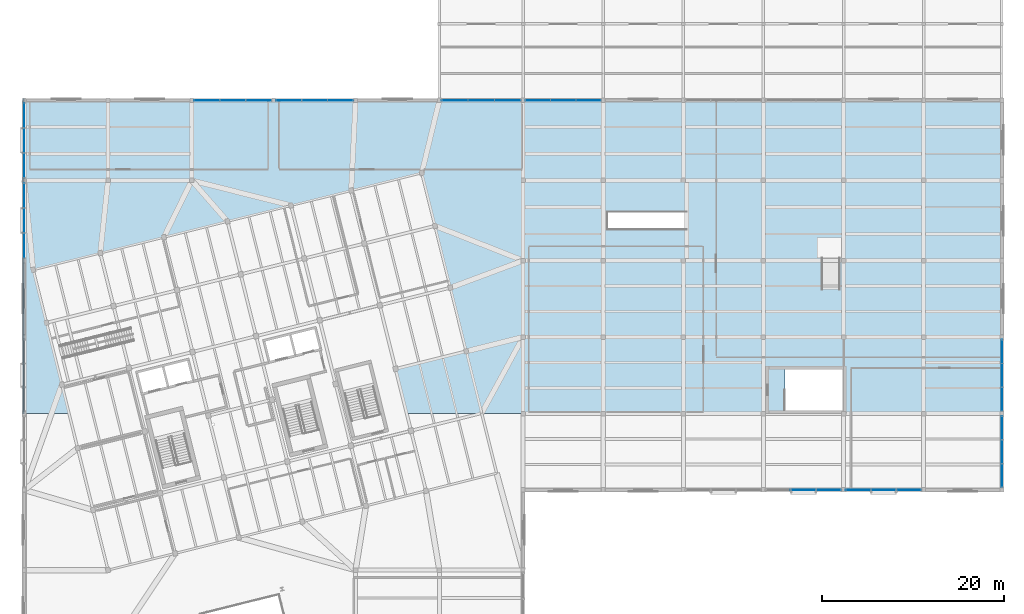
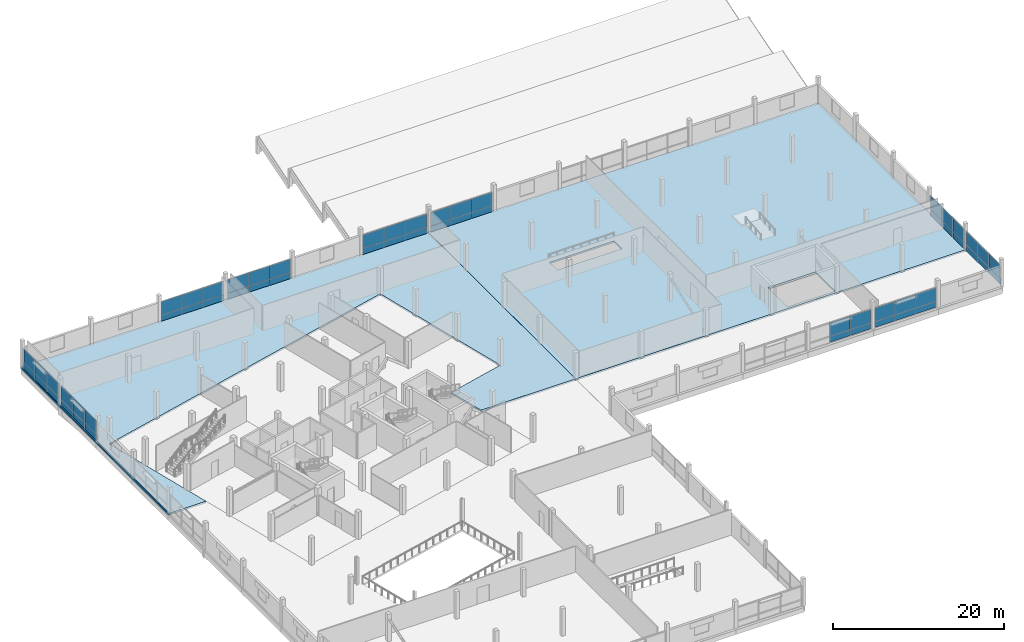
# One storey, part 49 of 62: 58 plates, 3 slabs, 10 elements without a shape of their own.
"""IFC4 building model written with IfcOpenShell, lengths in metres."""

from ifc_helpers import new_model, si_unit, direction, frame, origin, origin_2d, place, context, subcontext, project, spatial, polyline, rectangle, outline, extrude, material, layer, layer_set, type_object, element, aggregate, save


model = new_model("IFC4")

# Units and contexts
model_context = context("Model", 3, precision=1e-05, world=origin(), true_north=direction((0.0, 1.0)))
body_context = subcontext(model_context, "Body", "Model", "MODEL_VIEW")
ifc_project = project(units=[si_unit("LENGTHUNIT", "METRE"), si_unit("AREAUNIT", "SQUARE_METRE"), si_unit("VOLUMEUNIT", "CUBIC_METRE"), si_unit("PLANEANGLEUNIT", "RADIAN"), si_unit("MASSUNIT", "GRAM", prefix="KILO")], contexts=[model_context])

# Site, building, storey
site_placement = place(None, origin())
site = spatial("IfcSite", under=ifc_project, at=site_placement, CompositionType="ELEMENT")
building_placement = place(site_placement, origin())
building = spatial("IfcBuilding", under=site, at=building_placement, Name="Meriwether Solvik Hall", CompositionType="ELEMENT")
storey_placement = place(building_placement, frame((0.0, 0.0, 14.39990234375)))
storey = spatial("IfcBuildingStorey", under=building, at=storey_placement, Name="L03", CompositionType="ELEMENT", Elevation=14.39990234375)

# Curtain wall, plates
ifc_material_1 = material(Name="Thermally Broken Anodised Aluminium 6063-T6 and Low-E Glass", Category="aluminium")
ifc_layer_1 = layer(ifc_material_1, 0.179931640625)
ifc_layer_set_1 = layer_set([ifc_layer_1], Name="Thermally Broken Anodised Aluminium 6063-T6 and Low-E Glass")
curtain_wall_type = type_object("IfcCurtainWallType", Name="CW-UNIT-E", PredefinedType="USERDEFINED", material=ifc_layer_set_1)
curtain_wall_1_placement = place(storey_placement, origin())
curtain_wall_1 = element("IfcCurtainWall", 1, at=curtain_wall_1_placement, inside=storey, type_object=curtain_wall_type, Name="Curtain Wall wing_XF_16_9 (L03)", ObjectType="UNITISED CURTAIN WALL", PredefinedType="USERDEFINED")
ifc_material_2 = material(Name="Low-Emissivity Double-Glazed Laminated Glass", Category="glass")
ifc_layer_2 = layer(ifc_material_2, 0.031982421875)
ifc_layer_set_2 = layer_set([ifc_layer_2], Name="Low-Emissivity Double-Glazed Laminated Glass")
plate_type_1 = type_object("IfcPlateType", Name="PLT-GLZ-225X195", PredefinedType="CURTAIN_PANEL", material=ifc_layer_set_2)
plate_1_placement = place(storey_placement, frame((147.766357421875, 50.0, 0.856689453125), z_axis=(0.0, 0.0, 1.0), x_axis=(-1.0, 0.0, 0.0)))
plate_1 = element("IfcPlate", 2, at=plate_1_placement, type_object=plate_type_1, Name="Low-E Vision Glazing Panel 1", PredefinedType="CURTAIN_PANEL", context=body_context, shape_type="SweptSolid", body=[
    extrude(rectangle(XDim=2.7392578125, YDim=0.033935546875, at=origin_2d()), origin(), (0.0, 0.0, 1.0), 1.9384765625),
])
plate_2_placement = place(storey_placement, frame((145.0, 50.0, 0.856689453125), z_axis=(0.0, 0.0, 1.0), x_axis=(-1.0, 0.0, 0.0)))
plate_2 = element("IfcPlate", 3, at=plate_2_placement, type_object=plate_type_1, Name="Low-E Vision Glazing Panel 2", PredefinedType="CURTAIN_PANEL", context=body_context, shape_type="SweptSolid", body=[
    extrude(rectangle(XDim=2.77734375, YDim=0.033935546875, at=origin_2d()), origin(), (0.0, 0.0, 1.0), 1.9384765625),
])

curtain_wall_2_placement = place(storey_placement, origin())
curtain_wall_2 = element("IfcCurtainWall", 4, at=curtain_wall_2_placement, inside=storey, type_object=curtain_wall_type, Name="Curtain Wall wing_XF_17_10 (L03)", ObjectType="UNITISED CURTAIN WALL", PredefinedType="USERDEFINED")
plate_3_placement = place(storey_placement, frame((156.56640625, 50.0, 0.856689453125), z_axis=(0.0, 0.0, 1.0), x_axis=(-1.0, 0.0, 0.0)))
plate_3 = element("IfcPlate", 5, at=plate_3_placement, type_object=plate_type_1, Name="Low-E Vision Glazing Panel 1", PredefinedType="CURTAIN_PANEL", context=body_context, shape_type="SweptSolid", body=[
    extrude(rectangle(XDim=2.7392578125, YDim=0.033935546875, at=origin_2d()), origin(), (0.0, 0.0, 1.0), 1.9384765625),
])
plate_4_placement = place(storey_placement, frame((153.800048828125, 50.0, 0.856689453125), z_axis=(0.0, 0.0, 1.0), x_axis=(-1.0, 0.0, 0.0)))
plate_4 = element("IfcPlate", 6, at=plate_4_placement, type_object=plate_type_1, Name="Low-E Vision Glazing Panel 2", PredefinedType="CURTAIN_PANEL", context=body_context, shape_type="SweptSolid", body=[
    extrude(rectangle(XDim=2.77734375, YDim=0.033935546875, at=origin_2d()), origin(), (0.0, 0.0, 1.0), 1.9384765625),
])
plate_5_placement = place(storey_placement, frame((151.03369140625, 50.0, 0.856689453125), z_axis=(0.0, 0.0, 1.0), x_axis=(-1.0, 0.0, 0.0)))
plate_5 = element("IfcPlate", 7, at=plate_5_placement, type_object=plate_type_1, Name="Low-E Vision Glazing Panel 3", PredefinedType="CURTAIN_PANEL", context=body_context, shape_type="SweptSolid", body=[
    extrude(rectangle(XDim=2.7392578125, YDim=0.033935546875, at=origin_2d()), origin(), (0.0, 0.0, 1.0), 1.9384765625),
])

curtain_wall_3_placement = place(storey_placement, origin())
curtain_wall_3 = element("IfcCurtainWall", 8, at=curtain_wall_3_placement, inside=storey, type_object=curtain_wall_type, Name="Curtain Wall wing_XK_9_14 (L03)", ObjectType="UNITISED CURTAIN WALL", PredefinedType="USERDEFINED")
plate_6_placement = place(storey_placement, frame((79.467041015625, 92.800048828125, 0.856689453125), z_axis=(0.0, 0.0, 1.0), x_axis=(1.0, 0.0, 0.0)))
plate_6 = element("IfcPlate", 9, at=plate_6_placement, type_object=plate_type_1, Name="Low-E Vision Glazing Panel 1", PredefinedType="CURTAIN_PANEL", context=body_context, shape_type="SweptSolid", body=[
    extrude(rectangle(XDim=2.805908203125, YDim=0.033935546875, at=origin_2d()), origin(), (0.0, 0.0, 1.0), 1.9384765625),
])
plate_7_placement = place(storey_placement, frame((82.300048828125, 92.800048828125, 0.856689453125), z_axis=(0.0, 0.0, 1.0), x_axis=(1.0, 0.0, 0.0)))
plate_7 = element("IfcPlate", 10, at=plate_7_placement, type_object=plate_type_1, Name="Low-E Vision Glazing Panel 2", PredefinedType="CURTAIN_PANEL", context=body_context, shape_type="SweptSolid", body=[
    extrude(rectangle(XDim=2.843994140625, YDim=0.033935546875, at=origin_2d()), origin(), (0.0, 0.0, 1.0), 1.9384765625),
])
plate_8_placement = place(storey_placement, frame((85.133056640625, 92.800048828125, 0.856689453125), z_axis=(0.0, 0.0, 1.0), x_axis=(1.0, 0.0, 0.0)))
plate_8 = element("IfcPlate", 11, at=plate_8_placement, type_object=plate_type_1, Name="Low-E Vision Glazing Panel 3", PredefinedType="CURTAIN_PANEL", context=body_context, shape_type="SweptSolid", body=[
    extrude(rectangle(XDim=2.805908203125, YDim=0.033935546875, at=origin_2d()), origin(), (0.0, 0.0, 1.0), 1.9384765625),
])

curtain_wall_4_placement = place(storey_placement, origin())
curtain_wall_4 = element("IfcCurtainWall", 12, at=curtain_wall_4_placement, inside=storey, type_object=curtain_wall_type, Name="Curtain Wall wing_XK_10_15 (L03)", ObjectType="UNITISED CURTAIN WALL", PredefinedType="USERDEFINED")
plate_9_placement = place(storey_placement, frame((88.467041015625, 92.800048828125, 0.856689453125), z_axis=(0.0, 0.0, 1.0), x_axis=(1.0, 0.0, 0.0)))
plate_9 = element("IfcPlate", 13, at=plate_9_placement, type_object=plate_type_1, Name="Low-E Vision Glazing Panel 1", PredefinedType="CURTAIN_PANEL", context=body_context, shape_type="SweptSolid", body=[
    extrude(rectangle(XDim=2.805908203125, YDim=0.033935546875, at=origin_2d()), origin(), (0.0, 0.0, 1.0), 1.9384765625),
])
plate_10_placement = place(storey_placement, frame((91.300048828125, 92.800048828125, 0.856689453125), z_axis=(0.0, 0.0, 1.0), x_axis=(1.0, 0.0, 0.0)))
plate_10 = element("IfcPlate", 14, at=plate_10_placement, type_object=plate_type_1, Name="Low-E Vision Glazing Panel 2", PredefinedType="CURTAIN_PANEL", context=body_context, shape_type="SweptSolid", body=[
    extrude(rectangle(XDim=2.843994140625, YDim=0.033935546875, at=origin_2d()), origin(), (0.0, 0.0, 1.0), 1.9384765625),
])
plate_11_placement = place(storey_placement, frame((94.133056640625, 92.800048828125, 0.856689453125), z_axis=(0.0, 0.0, 1.0), x_axis=(1.0, 0.0, 0.0)))
plate_11 = element("IfcPlate", 15, at=plate_11_placement, type_object=plate_type_1, Name="Low-E Vision Glazing Panel 3", PredefinedType="CURTAIN_PANEL", context=body_context, shape_type="SweptSolid", body=[
    extrude(rectangle(XDim=2.805908203125, YDim=0.033935546875, at=origin_2d()), origin(), (0.0, 0.0, 1.0), 1.9384765625),
])

curtain_wall_5_placement = place(storey_placement, origin())
curtain_wall_5 = element("IfcCurtainWall", 16, at=curtain_wall_5_placement, inside=storey, type_object=curtain_wall_type, Name="Curtain Wall wing_XK_12_17 (L03)", ObjectType="UNITISED CURTAIN WALL", PredefinedType="USERDEFINED")
plate_12_placement = place(storey_placement, frame((106.700439453125, 92.800048828125, 0.856689453125), z_axis=(0.0, 0.0, 1.0), x_axis=(1.0, 0.0, 0.0)))
plate_12 = element("IfcPlate", 17, at=plate_12_placement, type_object=plate_type_1, Name="Low-E Vision Glazing Panel 1", PredefinedType="CURTAIN_PANEL", context=body_context, shape_type="SweptSolid", body=[
    extrude(rectangle(XDim=2.872802734375, YDim=0.033935546875, at=origin_2d()), origin(), (0.0, 0.0, 1.0), 1.9384765625),
])
plate_13_placement = place(storey_placement, frame((109.60009765625, 92.800048828125, 0.856689453125), z_axis=(0.0, 0.0, 1.0), x_axis=(1.0, 0.0, 0.0)))
plate_13 = element("IfcPlate", 18, at=plate_13_placement, type_object=plate_type_1, Name="Low-E Vision Glazing Panel 2", PredefinedType="CURTAIN_PANEL", context=body_context, shape_type="SweptSolid", body=[
    extrude(rectangle(XDim=2.91064453125, YDim=0.033935546875, at=origin_2d()), origin(), (0.0, 0.0, 1.0), 1.9384765625),
])
plate_14_placement = place(storey_placement, frame((112.499755859375, 92.800048828125, 0.856689453125), z_axis=(0.0, 0.0, 1.0), x_axis=(1.0, 0.0, 0.0)))
plate_14 = element("IfcPlate", 19, at=plate_14_placement, type_object=plate_type_1, Name="Low-E Vision Glazing Panel 3", PredefinedType="CURTAIN_PANEL", context=body_context, shape_type="SweptSolid", body=[
    extrude(rectangle(XDim=2.872802734375, YDim=0.033935546875, at=origin_2d()), origin(), (0.0, 0.0, 1.0), 1.9384765625),
])

curtain_wall_6_placement = place(storey_placement, origin())
curtain_wall_6 = element("IfcCurtainWall", 20, at=curtain_wall_6_placement, inside=storey, type_object=curtain_wall_type, Name="Curtain Wall wing_XK_13_18 (L03)", ObjectType="UNITISED CURTAIN WALL", PredefinedType="USERDEFINED")
plate_15_placement = place(storey_placement, frame((115.833740234375, 92.800048828125, 0.856689453125), z_axis=(0.0, 0.0, 1.0), x_axis=(1.0, 0.0, 0.0)))
plate_15 = element("IfcPlate", 21, at=plate_15_placement, type_object=plate_type_1, Name="Low-E Vision Glazing Panel 1", PredefinedType="CURTAIN_PANEL", context=body_context, shape_type="SweptSolid", body=[
    extrude(rectangle(XDim=2.7392578125, YDim=0.033935546875, at=origin_2d()), origin(), (0.0, 0.0, 1.0), 1.9384765625),
])
plate_16_placement = place(storey_placement, frame((118.60009765625, 92.800048828125, 0.856689453125), z_axis=(0.0, 0.0, 1.0), x_axis=(1.0, 0.0, 0.0)))
plate_16 = element("IfcPlate", 22, at=plate_16_placement, type_object=plate_type_1, Name="Low-E Vision Glazing Panel 2", PredefinedType="CURTAIN_PANEL", context=body_context, shape_type="SweptSolid", body=[
    extrude(rectangle(XDim=2.77734375, YDim=0.033935546875, at=origin_2d()), origin(), (0.0, 0.0, 1.0), 1.9384765625),
])
plate_17_placement = place(storey_placement, frame((121.3662109375, 92.800048828125, 0.856689453125), z_axis=(0.0, 0.0, 1.0), x_axis=(1.0, 0.0, 0.0)))
plate_17 = element("IfcPlate", 23, at=plate_17_placement, type_object=plate_type_1, Name="Low-E Vision Glazing Panel 3", PredefinedType="CURTAIN_PANEL", context=body_context, shape_type="SweptSolid", body=[
    extrude(rectangle(XDim=2.7392578125, YDim=0.033935546875, at=origin_2d()), origin(), (0.0, 0.0, 1.0), 1.9384765625),
])

curtain_wall_7_placement = place(storey_placement, origin())
curtain_wall_7 = element("IfcCurtainWall", 24, at=curtain_wall_7_placement, inside=storey, type_object=curtain_wall_type, Name="Curtain Wall wing_Y7_9_32 (L03)", ObjectType="UNITISED CURTAIN WALL", PredefinedType="USERDEFINED")
plate_18_placement = place(storey_placement, frame((59.39990234375, 76.858642578125, 0.856689453125), z_axis=(0.0, 0.0, 1.0), x_axis=(0.0, 1.0, 0.0)))
plate_18 = element("IfcPlate", 25, at=plate_18_placement, type_object=plate_type_1, Name="Low-E Vision Glazing Panel 1", PredefinedType="CURTAIN_PANEL", context=body_context, shape_type="SweptSolid", body=[
    extrude(rectangle(XDim=2.71435546875, YDim=0.033935546875, at=origin_2d()), origin(), (0.0, 0.0, 1.0), 1.9384765625),
])
plate_19_placement = place(storey_placement, frame((59.39990234375, 79.60009765625, 0.856689453125), z_axis=(0.0, 0.0, 1.0), x_axis=(0.0, 1.0, 0.0)))
plate_19 = element("IfcPlate", 26, at=plate_19_placement, type_object=plate_type_1, Name="Low-E Vision Glazing Panel 2", PredefinedType="CURTAIN_PANEL", context=body_context, shape_type="SweptSolid", body=[
    extrude(rectangle(XDim=2.752197265625, YDim=0.033935546875, at=origin_2d()), origin(), (0.0, 0.0, 1.0), 1.9384765625),
])
plate_20_placement = place(storey_placement, frame((59.39990234375, 82.34130859375, 0.856689453125), z_axis=(0.0, 0.0, 1.0), x_axis=(0.0, 1.0, 0.0)))
plate_20 = element("IfcPlate", 27, at=plate_20_placement, type_object=plate_type_1, Name="Low-E Vision Glazing Panel 3", PredefinedType="CURTAIN_PANEL", context=body_context, shape_type="SweptSolid", body=[
    extrude(rectangle(XDim=2.71435546875, YDim=0.033935546875, at=origin_2d()), origin(), (0.0, 0.0, 1.0), 1.9384765625),
])

curtain_wall_8_placement = place(storey_placement, origin())
curtain_wall_8 = element("IfcCurtainWall", 28, at=curtain_wall_8_placement, inside=storey, type_object=curtain_wall_type, Name="Curtain Wall wing_Y7_10_33 (L03)", ObjectType="UNITISED CURTAIN WALL", PredefinedType="USERDEFINED")
plate_21_placement = place(storey_placement, frame((59.39990234375, 85.65869140625, 0.856689453125), z_axis=(0.0, 0.0, 1.0), x_axis=(0.0, 1.0, 0.0)))
plate_21 = element("IfcPlate", 29, at=plate_21_placement, type_object=plate_type_1, Name="Low-E Vision Glazing Panel 1", PredefinedType="CURTAIN_PANEL", context=body_context, shape_type="SweptSolid", body=[
    extrude(rectangle(XDim=2.71435546875, YDim=0.033935546875, at=origin_2d()), origin(), (0.0, 0.0, 1.0), 1.9384765625),
])
plate_22_placement = place(storey_placement, frame((59.39990234375, 88.39990234375, 0.856689453125), z_axis=(0.0, 0.0, 1.0), x_axis=(0.0, 1.0, 0.0)))
plate_22 = element("IfcPlate", 30, at=plate_22_placement, type_object=plate_type_1, Name="Low-E Vision Glazing Panel 2", PredefinedType="CURTAIN_PANEL", context=body_context, shape_type="SweptSolid", body=[
    extrude(rectangle(XDim=2.752197265625, YDim=0.033935546875, at=origin_2d()), origin(), (0.0, 0.0, 1.0), 1.9384765625),
])
plate_23_placement = place(storey_placement, frame((59.39990234375, 91.141357421875, 0.856689453125), z_axis=(0.0, 0.0, 1.0), x_axis=(0.0, 1.0, 0.0)))
plate_23 = element("IfcPlate", 31, at=plate_23_placement, type_object=plate_type_1, Name="Low-E Vision Glazing Panel 3", PredefinedType="CURTAIN_PANEL", context=body_context, shape_type="SweptSolid", body=[
    extrude(rectangle(XDim=2.71435546875, YDim=0.033935546875, at=origin_2d()), origin(), (0.0, 0.0, 1.0), 1.9384765625),
])

curtain_wall_9_placement = place(storey_placement, origin())
curtain_wall_9 = element("IfcCurtainWall", 32, at=curtain_wall_9_placement, inside=storey, type_object=curtain_wall_type, Name="Curtain Wall wing_Y19_6_39 (L03)", ObjectType="UNITISED CURTAIN WALL", PredefinedType="USERDEFINED")
plate_24_placement = place(storey_placement, frame((166.800048828125, 56.80810546875, 0.856689453125), z_axis=(0.0, 0.0, 1.0), x_axis=(0.0, -1.0, 0.0)))
plate_24 = element("IfcPlate", 33, at=plate_24_placement, type_object=plate_type_1, Name="Low-E Vision Glazing Panel 1", PredefinedType="CURTAIN_PANEL", context=body_context, shape_type="SweptSolid", body=[
    extrude(rectangle(XDim=2.5810546875, YDim=0.033935546875, at=origin_2d()), origin(), (0.0, 0.0, 1.0), 1.9384765625),
])
plate_25_placement = place(storey_placement, frame((166.800048828125, 54.199951171875, 0.856689453125), z_axis=(0.0, 0.0, 1.0), x_axis=(0.0, -1.0, 0.0)))
plate_25 = element("IfcPlate", 34, at=plate_25_placement, type_object=plate_type_1, Name="Low-E Vision Glazing Panel 2", PredefinedType="CURTAIN_PANEL", context=body_context, shape_type="SweptSolid", body=[
    extrude(rectangle(XDim=2.618896484375, YDim=0.033935546875, at=origin_2d()), origin(), (0.0, 0.0, 1.0), 1.9384765625),
])
plate_26_placement = place(storey_placement, frame((166.800048828125, 51.592041015625, 0.856689453125), z_axis=(0.0, 0.0, 1.0), x_axis=(0.0, -1.0, 0.0)))
plate_26 = element("IfcPlate", 35, at=plate_26_placement, type_object=plate_type_1, Name="Low-E Vision Glazing Panel 3", PredefinedType="CURTAIN_PANEL", context=body_context, shape_type="SweptSolid", body=[
    extrude(rectangle(XDim=2.5810546875, YDim=0.033935546875, at=origin_2d()), origin(), (0.0, 0.0, 1.0), 1.9384765625),
])

curtain_wall_10_placement = place(storey_placement, origin())
curtain_wall_10 = element("IfcCurtainWall", 36, at=curtain_wall_10_placement, inside=storey, type_object=curtain_wall_type, Name="Curtain Wall wing_Y19_7_40 (L03)", ObjectType="UNITISED CURTAIN WALL", PredefinedType="USERDEFINED")
plate_27_placement = place(storey_placement, frame((166.800048828125, 65.2080078125, 0.856689453125), z_axis=(0.0, 0.0, 1.0), x_axis=(0.0, -1.0, 0.0)))
plate_27 = element("IfcPlate", 37, at=plate_27_placement, type_object=plate_type_1, Name="Low-E Vision Glazing Panel 1", PredefinedType="CURTAIN_PANEL", context=body_context, shape_type="SweptSolid", body=[
    extrude(rectangle(XDim=2.5810546875, YDim=0.033935546875, at=origin_2d()), origin(), (0.0, 0.0, 1.0), 1.9384765625),
])
plate_28_placement = place(storey_placement, frame((166.800048828125, 62.60009765625, 0.856689453125), z_axis=(0.0, 0.0, 1.0), x_axis=(0.0, -1.0, 0.0)))
plate_28 = element("IfcPlate", 38, at=plate_28_placement, type_object=plate_type_1, Name="Low-E Vision Glazing Panel 2", PredefinedType="CURTAIN_PANEL", context=body_context, shape_type="SweptSolid", body=[
    extrude(rectangle(XDim=2.618896484375, YDim=0.033935546875, at=origin_2d()), origin(), (0.0, 0.0, 1.0), 1.9384765625),
])
plate_29_placement = place(storey_placement, frame((166.800048828125, 59.991943359375, 0.856689453125), z_axis=(0.0, 0.0, 1.0), x_axis=(0.0, -1.0, 0.0)))
plate_29 = element("IfcPlate", 39, at=plate_29_placement, type_object=plate_type_1, Name="Low-E Vision Glazing Panel 3", PredefinedType="CURTAIN_PANEL", context=body_context, shape_type="SweptSolid", body=[
    extrude(rectangle(XDim=2.5810546875, YDim=0.033935546875, at=origin_2d()), origin(), (0.0, 0.0, 1.0), 1.9384765625),
])

# Plate
ifc_material_3 = material(Name="Mineral-Wool Insulated Anodised Aluminium 6063-T6", Category="aluminium")
ifc_layer_3 = layer(ifc_material_3, 0.044921875)
ifc_layer_set_3 = layer_set([ifc_layer_3], Name="Mineral-Wool Insulated Anodised Aluminium 6063-T6")
plate_type_2 = type_object("IfcPlateType", Name="PLT-SPN-225X085", PredefinedType="CURTAIN_PANEL", material=ifc_layer_set_3)
plate_30_placement = place(storey_placement, frame((147.766357421875, 50.0, 0.000244140625), z_axis=(0.0, 0.0, 1.0), x_axis=(-1.0, 0.0, 0.0)))
plate_30 = element("IfcPlate", 40, at=plate_30_placement, type_object=plate_type_2, Name="Insulated Spandrel Panel 1", PredefinedType="CURTAIN_PANEL", context=body_context, shape_type="SweptSolid", body=[
    extrude(rectangle(XDim=2.7392578125, YDim=0.044921875, at=origin_2d()), origin(), (0.0, 0.0, 1.0), 0.8564453125),
])

plate_31_placement = place(storey_placement, frame((145.0, 50.0, 0.000244140625), z_axis=(0.0, 0.0, 1.0), x_axis=(-1.0, 0.0, 0.0)))
plate_31 = element("IfcPlate", 41, at=plate_31_placement, type_object=plate_type_2, Name="Insulated Spandrel Panel 2", PredefinedType="CURTAIN_PANEL", context=body_context, shape_type="SweptSolid", body=[
    extrude(rectangle(XDim=2.77734375, YDim=0.044921875, at=origin_2d()), origin(), (0.0, 0.0, 1.0), 0.8564453125),
])

aggregate(curtain_wall_1, [plate_30, plate_1, plate_31, plate_2])

plate_32_placement = place(storey_placement, frame((156.56640625, 50.0, 0.000244140625), z_axis=(0.0, 0.0, 1.0), x_axis=(-1.0, 0.0, 0.0)))
plate_32 = element("IfcPlate", 42, at=plate_32_placement, type_object=plate_type_2, Name="Insulated Spandrel Panel 1", PredefinedType="CURTAIN_PANEL", context=body_context, shape_type="SweptSolid", body=[
    extrude(rectangle(XDim=2.7392578125, YDim=0.044921875, at=origin_2d()), origin(), (0.0, 0.0, 1.0), 0.8564453125),
])

plate_33_placement = place(storey_placement, frame((153.800048828125, 50.0, 0.000244140625), z_axis=(0.0, 0.0, 1.0), x_axis=(-1.0, 0.0, 0.0)))
plate_33 = element("IfcPlate", 43, at=plate_33_placement, type_object=plate_type_2, Name="Insulated Spandrel Panel 2", PredefinedType="CURTAIN_PANEL", context=body_context, shape_type="SweptSolid", body=[
    extrude(rectangle(XDim=2.77734375, YDim=0.044921875, at=origin_2d()), origin(), (0.0, 0.0, 1.0), 0.8564453125),
])

plate_34_placement = place(storey_placement, frame((151.03369140625, 50.0, 0.000244140625), z_axis=(0.0, 0.0, 1.0), x_axis=(-1.0, 0.0, 0.0)))
plate_34 = element("IfcPlate", 44, at=plate_34_placement, type_object=plate_type_2, Name="Insulated Spandrel Panel 3", PredefinedType="CURTAIN_PANEL", context=body_context, shape_type="SweptSolid", body=[
    extrude(rectangle(XDim=2.7392578125, YDim=0.044921875, at=origin_2d()), origin(), (0.0, 0.0, 1.0), 0.8564453125),
])

aggregate(curtain_wall_2, [plate_32, plate_3, plate_33, plate_4, plate_34, plate_5])

plate_35_placement = place(storey_placement, frame((79.467041015625, 92.800048828125, 0.000244140625), z_axis=(0.0, 0.0, 1.0), x_axis=(1.0, 0.0, 0.0)))
plate_35 = element("IfcPlate", 45, at=plate_35_placement, type_object=plate_type_2, Name="Insulated Spandrel Panel 1", PredefinedType="CURTAIN_PANEL", context=body_context, shape_type="SweptSolid", body=[
    extrude(rectangle(XDim=2.805908203125, YDim=0.044921875, at=origin_2d()), origin(), (0.0, 0.0, 1.0), 0.8564453125),
])

plate_36_placement = place(storey_placement, frame((82.300048828125, 92.800048828125, 0.000244140625), z_axis=(0.0, 0.0, 1.0), x_axis=(1.0, 0.0, 0.0)))
plate_36 = element("IfcPlate", 46, at=plate_36_placement, type_object=plate_type_2, Name="Insulated Spandrel Panel 2", PredefinedType="CURTAIN_PANEL", context=body_context, shape_type="SweptSolid", body=[
    extrude(rectangle(XDim=2.843994140625, YDim=0.044921875, at=origin_2d()), origin(), (0.0, 0.0, 1.0), 0.8564453125),
])

plate_37_placement = place(storey_placement, frame((85.133056640625, 92.800048828125, 0.000244140625), z_axis=(0.0, 0.0, 1.0), x_axis=(1.0, 0.0, 0.0)))
plate_37 = element("IfcPlate", 47, at=plate_37_placement, type_object=plate_type_2, Name="Insulated Spandrel Panel 3", PredefinedType="CURTAIN_PANEL", context=body_context, shape_type="SweptSolid", body=[
    extrude(rectangle(XDim=2.805908203125, YDim=0.044921875, at=origin_2d()), origin(), (0.0, 0.0, 1.0), 0.8564453125),
])

aggregate(curtain_wall_3, [plate_35, plate_6, plate_36, plate_7, plate_37, plate_8])

plate_38_placement = place(storey_placement, frame((88.467041015625, 92.800048828125, 0.000244140625), z_axis=(0.0, 0.0, 1.0), x_axis=(1.0, 0.0, 0.0)))
plate_38 = element("IfcPlate", 48, at=plate_38_placement, type_object=plate_type_2, Name="Insulated Spandrel Panel 1", PredefinedType="CURTAIN_PANEL", context=body_context, shape_type="SweptSolid", body=[
    extrude(rectangle(XDim=2.805908203125, YDim=0.044921875, at=origin_2d()), origin(), (0.0, 0.0, 1.0), 0.8564453125),
])

plate_39_placement = place(storey_placement, frame((91.300048828125, 92.800048828125, 0.000244140625), z_axis=(0.0, 0.0, 1.0), x_axis=(1.0, 0.0, 0.0)))
plate_39 = element("IfcPlate", 49, at=plate_39_placement, type_object=plate_type_2, Name="Insulated Spandrel Panel 2", PredefinedType="CURTAIN_PANEL", context=body_context, shape_type="SweptSolid", body=[
    extrude(rectangle(XDim=2.843994140625, YDim=0.044921875, at=origin_2d()), origin(), (0.0, 0.0, 1.0), 0.8564453125),
])

plate_40_placement = place(storey_placement, frame((94.133056640625, 92.800048828125, 0.000244140625), z_axis=(0.0, 0.0, 1.0), x_axis=(1.0, 0.0, 0.0)))
plate_40 = element("IfcPlate", 50, at=plate_40_placement, type_object=plate_type_2, Name="Insulated Spandrel Panel 3", PredefinedType="CURTAIN_PANEL", context=body_context, shape_type="SweptSolid", body=[
    extrude(rectangle(XDim=2.805908203125, YDim=0.044921875, at=origin_2d()), origin(), (0.0, 0.0, 1.0), 0.8564453125),
])

aggregate(curtain_wall_4, [plate_38, plate_9, plate_39, plate_10, plate_40, plate_11])

plate_41_placement = place(storey_placement, frame((106.700439453125, 92.800048828125, 0.000244140625), z_axis=(0.0, 0.0, 1.0), x_axis=(1.0, 0.0, 0.0)))
plate_41 = element("IfcPlate", 51, at=plate_41_placement, type_object=plate_type_2, Name="Insulated Spandrel Panel 1", PredefinedType="CURTAIN_PANEL", context=body_context, shape_type="SweptSolid", body=[
    extrude(rectangle(XDim=2.872802734375, YDim=0.044921875, at=origin_2d()), origin(), (0.0, 0.0, 1.0), 0.8564453125),
])

plate_42_placement = place(storey_placement, frame((109.60009765625, 92.800048828125, 0.000244140625), z_axis=(0.0, 0.0, 1.0), x_axis=(1.0, 0.0, 0.0)))
plate_42 = element("IfcPlate", 52, at=plate_42_placement, type_object=plate_type_2, Name="Insulated Spandrel Panel 2", PredefinedType="CURTAIN_PANEL", context=body_context, shape_type="SweptSolid", body=[
    extrude(rectangle(XDim=2.91064453125, YDim=0.044921875, at=origin_2d()), origin(), (0.0, 0.0, 1.0), 0.8564453125),
])

plate_43_placement = place(storey_placement, frame((112.499755859375, 92.800048828125, 0.000244140625), z_axis=(0.0, 0.0, 1.0), x_axis=(1.0, 0.0, 0.0)))
plate_43 = element("IfcPlate", 53, at=plate_43_placement, type_object=plate_type_2, Name="Insulated Spandrel Panel 3", PredefinedType="CURTAIN_PANEL", context=body_context, shape_type="SweptSolid", body=[
    extrude(rectangle(XDim=2.872802734375, YDim=0.044921875, at=origin_2d()), origin(), (0.0, 0.0, 1.0), 0.8564453125),
])

aggregate(curtain_wall_5, [plate_41, plate_12, plate_42, plate_13, plate_43, plate_14])

plate_44_placement = place(storey_placement, frame((115.833740234375, 92.800048828125, 0.000244140625), z_axis=(0.0, 0.0, 1.0), x_axis=(1.0, 0.0, 0.0)))
plate_44 = element("IfcPlate", 54, at=plate_44_placement, type_object=plate_type_2, Name="Insulated Spandrel Panel 1", PredefinedType="CURTAIN_PANEL", context=body_context, shape_type="SweptSolid", body=[
    extrude(rectangle(XDim=2.7392578125, YDim=0.044921875, at=origin_2d()), origin(), (0.0, 0.0, 1.0), 0.8564453125),
])

plate_45_placement = place(storey_placement, frame((118.60009765625, 92.800048828125, 0.000244140625), z_axis=(0.0, 0.0, 1.0), x_axis=(1.0, 0.0, 0.0)))
plate_45 = element("IfcPlate", 55, at=plate_45_placement, type_object=plate_type_2, Name="Insulated Spandrel Panel 2", PredefinedType="CURTAIN_PANEL", context=body_context, shape_type="SweptSolid", body=[
    extrude(rectangle(XDim=2.77734375, YDim=0.044921875, at=origin_2d()), origin(), (0.0, 0.0, 1.0), 0.8564453125),
])

plate_46_placement = place(storey_placement, frame((121.3662109375, 92.800048828125, 0.000244140625), z_axis=(0.0, 0.0, 1.0), x_axis=(1.0, 0.0, 0.0)))
plate_46 = element("IfcPlate", 56, at=plate_46_placement, type_object=plate_type_2, Name="Insulated Spandrel Panel 3", PredefinedType="CURTAIN_PANEL", context=body_context, shape_type="SweptSolid", body=[
    extrude(rectangle(XDim=2.7392578125, YDim=0.044921875, at=origin_2d()), origin(), (0.0, 0.0, 1.0), 0.8564453125),
])

aggregate(curtain_wall_6, [plate_44, plate_15, plate_45, plate_16, plate_46, plate_17])

plate_47_placement = place(storey_placement, frame((59.39990234375, 76.858642578125, 0.000244140625), z_axis=(0.0, 0.0, 1.0), x_axis=(0.0, 1.0, 0.0)))
plate_47 = element("IfcPlate", 57, at=plate_47_placement, type_object=plate_type_2, Name="Insulated Spandrel Panel 1", PredefinedType="CURTAIN_PANEL", context=body_context, shape_type="SweptSolid", body=[
    extrude(rectangle(XDim=2.71435546875, YDim=0.044921875, at=origin_2d()), origin(), (0.0, 0.0, 1.0), 0.8564453125),
])

plate_48_placement = place(storey_placement, frame((59.39990234375, 79.60009765625, 0.000244140625), z_axis=(0.0, 0.0, 1.0), x_axis=(0.0, 1.0, 0.0)))
plate_48 = element("IfcPlate", 58, at=plate_48_placement, type_object=plate_type_2, Name="Insulated Spandrel Panel 2", PredefinedType="CURTAIN_PANEL", context=body_context, shape_type="SweptSolid", body=[
    extrude(rectangle(XDim=2.752197265625, YDim=0.044921875, at=origin_2d()), origin(), (0.0, 0.0, 1.0), 0.8564453125),
])

plate_49_placement = place(storey_placement, frame((59.39990234375, 82.34130859375, 0.000244140625), z_axis=(0.0, 0.0, 1.0), x_axis=(0.0, 1.0, 0.0)))
plate_49 = element("IfcPlate", 59, at=plate_49_placement, type_object=plate_type_2, Name="Insulated Spandrel Panel 3", PredefinedType="CURTAIN_PANEL", context=body_context, shape_type="SweptSolid", body=[
    extrude(rectangle(XDim=2.71435546875, YDim=0.044921875, at=origin_2d()), origin(), (0.0, 0.0, 1.0), 0.8564453125),
])

aggregate(curtain_wall_7, [plate_47, plate_18, plate_48, plate_19, plate_49, plate_20])

plate_50_placement = place(storey_placement, frame((59.39990234375, 85.65869140625, 0.000244140625), z_axis=(0.0, 0.0, 1.0), x_axis=(0.0, 1.0, 0.0)))
plate_50 = element("IfcPlate", 60, at=plate_50_placement, type_object=plate_type_2, Name="Insulated Spandrel Panel 1", PredefinedType="CURTAIN_PANEL", context=body_context, shape_type="SweptSolid", body=[
    extrude(rectangle(XDim=2.71435546875, YDim=0.044921875, at=origin_2d()), origin(), (0.0, 0.0, 1.0), 0.8564453125),
])

plate_51_placement = place(storey_placement, frame((59.39990234375, 88.39990234375, 0.000244140625), z_axis=(0.0, 0.0, 1.0), x_axis=(0.0, 1.0, 0.0)))
plate_51 = element("IfcPlate", 61, at=plate_51_placement, type_object=plate_type_2, Name="Insulated Spandrel Panel 2", PredefinedType="CURTAIN_PANEL", context=body_context, shape_type="SweptSolid", body=[
    extrude(rectangle(XDim=2.752197265625, YDim=0.044921875, at=origin_2d()), origin(), (0.0, 0.0, 1.0), 0.8564453125),
])

plate_52_placement = place(storey_placement, frame((59.39990234375, 91.141357421875, 0.000244140625), z_axis=(0.0, 0.0, 1.0), x_axis=(0.0, 1.0, 0.0)))
plate_52 = element("IfcPlate", 62, at=plate_52_placement, type_object=plate_type_2, Name="Insulated Spandrel Panel 3", PredefinedType="CURTAIN_PANEL", context=body_context, shape_type="SweptSolid", body=[
    extrude(rectangle(XDim=2.71435546875, YDim=0.044921875, at=origin_2d()), origin(), (0.0, 0.0, 1.0), 0.8564453125),
])

aggregate(curtain_wall_8, [plate_50, plate_21, plate_51, plate_22, plate_52, plate_23])

plate_53_placement = place(storey_placement, frame((166.800048828125, 56.80810546875, 0.000244140625), z_axis=(0.0, 0.0, 1.0), x_axis=(0.0, -1.0, 0.0)))
plate_53 = element("IfcPlate", 63, at=plate_53_placement, type_object=plate_type_2, Name="Insulated Spandrel Panel 1", PredefinedType="CURTAIN_PANEL", context=body_context, shape_type="SweptSolid", body=[
    extrude(rectangle(XDim=2.5810546875, YDim=0.044921875, at=origin_2d()), origin(), (0.0, 0.0, 1.0), 0.8564453125),
])

plate_54_placement = place(storey_placement, frame((166.800048828125, 54.199951171875, 0.000244140625), z_axis=(0.0, 0.0, 1.0), x_axis=(0.0, -1.0, 0.0)))
plate_54 = element("IfcPlate", 64, at=plate_54_placement, type_object=plate_type_2, Name="Insulated Spandrel Panel 2", PredefinedType="CURTAIN_PANEL", context=body_context, shape_type="SweptSolid", body=[
    extrude(rectangle(XDim=2.618896484375, YDim=0.044921875, at=origin_2d()), origin(), (0.0, 0.0, 1.0), 0.8564453125),
])

plate_55_placement = place(storey_placement, frame((166.800048828125, 51.592041015625, 0.000244140625), z_axis=(0.0, 0.0, 1.0), x_axis=(0.0, -1.0, 0.0)))
plate_55 = element("IfcPlate", 65, at=plate_55_placement, type_object=plate_type_2, Name="Insulated Spandrel Panel 3", PredefinedType="CURTAIN_PANEL", context=body_context, shape_type="SweptSolid", body=[
    extrude(rectangle(XDim=2.5810546875, YDim=0.044921875, at=origin_2d()), origin(), (0.0, 0.0, 1.0), 0.8564453125),
])

aggregate(curtain_wall_9, [plate_53, plate_24, plate_54, plate_25, plate_55, plate_26])

plate_56_placement = place(storey_placement, frame((166.800048828125, 65.2080078125, 0.000244140625), z_axis=(0.0, 0.0, 1.0), x_axis=(0.0, -1.0, 0.0)))
plate_56 = element("IfcPlate", 66, at=plate_56_placement, type_object=plate_type_2, Name="Insulated Spandrel Panel 1", PredefinedType="CURTAIN_PANEL", context=body_context, shape_type="SweptSolid", body=[
    extrude(rectangle(XDim=2.5810546875, YDim=0.044921875, at=origin_2d()), origin(), (0.0, 0.0, 1.0), 0.8564453125),
])

plate_57_placement = place(storey_placement, frame((166.800048828125, 62.60009765625, 0.000244140625), z_axis=(0.0, 0.0, 1.0), x_axis=(0.0, -1.0, 0.0)))
plate_57 = element("IfcPlate", 67, at=plate_57_placement, type_object=plate_type_2, Name="Insulated Spandrel Panel 2", PredefinedType="CURTAIN_PANEL", context=body_context, shape_type="SweptSolid", body=[
    extrude(rectangle(XDim=2.618896484375, YDim=0.044921875, at=origin_2d()), origin(), (0.0, 0.0, 1.0), 0.8564453125),
])

plate_58_placement = place(storey_placement, frame((166.800048828125, 59.991943359375, 0.000244140625), z_axis=(0.0, 0.0, 1.0), x_axis=(0.0, -1.0, 0.0)))
plate_58 = element("IfcPlate", 68, at=plate_58_placement, type_object=plate_type_2, Name="Insulated Spandrel Panel 3", PredefinedType="CURTAIN_PANEL", context=body_context, shape_type="SweptSolid", body=[
    extrude(rectangle(XDim=2.5810546875, YDim=0.044921875, at=origin_2d()), origin(), (0.0, 0.0, 1.0), 0.8564453125),
])

aggregate(curtain_wall_10, [plate_56, plate_27, plate_57, plate_28, plate_58, plate_29])

# Slabs
ifc_material_4 = material(Name="Cross-Laminated Timber PRG 320 E1", Category="wood")
ifc_layer_4 = layer(ifc_material_4, 0.2451171875)
ifc_layer_set_4 = layer_set([ifc_layer_4], Name="Cross-Laminated Timber PRG 320 E1")
slab_type = type_object("IfcSlabType", Name="SLB-CLT-245", PredefinedType="FLOOR", material=ifc_layer_set_4)
slab_1_placement = place(storey_placement, frame((0.0, 0.0, -0.244873046875)))
element("IfcSlab", 69, at=slab_1_placement, inside=storey, type_object=slab_type, Name="L03 Structural Slab Zone 2", PredefinedType="FLOOR", context=body_context, shape_type="SweptSolid", body=[
    extrude(outline(polyline([(59.239990234375, 58.403076171875), (59.239990234375, 92.9599609375), (59.39697265625, 92.9599609375), (59.39697265625, 58.403076171875), (59.239990234375, 58.403076171875)])), origin(), (0.0, 0.0, 1.0), 0.244873046875),
])
slab_2_placement = place(storey_placement, frame((0.0, 0.0, -0.244873046875)))
element("IfcSlab", 70, at=slab_2_placement, inside=storey, type_object=slab_type, Name="L03 Structural Slab Zone 4", PredefinedType="FLOOR", context=body_context, shape_type="SweptSolid", body=[
    extrude(outline(polyline([(101.413818359375, 58.403076171875), (100.193359375, 63.298583984375), (107.955810546875, 65.23388671875), (103.068359375, 84.8359375), (60.37353515625, 74.190673828125), (64.309814453125, 58.403076171875), (59.403076171875, 58.403076171875), (59.403076171875, 92.9599609375), (114.197021484375, 92.9599609375), (114.197021484375, 58.403076171875), (101.413818359375, 58.403076171875)])), origin(), (0.0, 0.0, 1.0), 0.244873046875),
])
slab_3_placement = place(storey_placement, frame((0.0, 0.0, -0.244873046875)))
element("IfcSlab", 71, at=slab_3_placement, inside=storey, type_object=slab_type, Name="L03 Structural Slab Zone 6", PredefinedType="FLOOR", context=body_context, shape_type="SweptSolid", body=[
    extrude(outline(polyline([(114.202880859375, 92.9599609375), (166.9599609375, 92.9599609375), (166.9599609375, 58.403076171875), (114.202880859375, 58.403076171875), (114.202880859375, 92.9599609375)]), holes=[polyline([(149.39990234375, 63.25), (142.968017578125, 63.25), (142.968017578125, 58.75), (149.39990234375, 58.75), (149.39990234375, 63.25)]), polyline([(132.152099609375, 78.695068359375), (132.152099609375, 80.5048828125), (123.449951171875, 80.5048828125), (123.449951171875, 78.695068359375), (132.152099609375, 78.695068359375)])]), origin(), (0.0, 0.0, 1.0), 0.244873046875),
])

save(model, "model.ifc")
